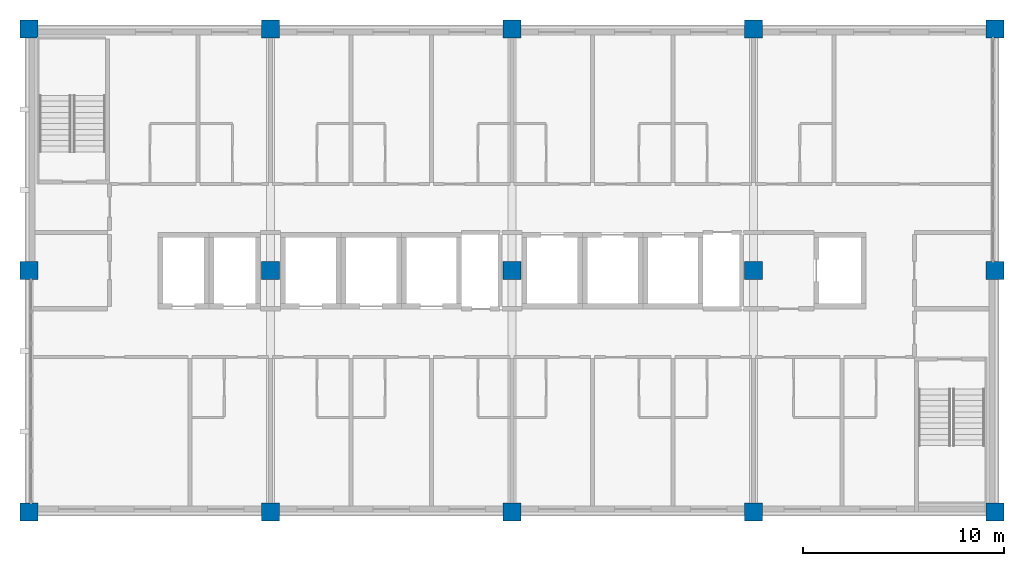
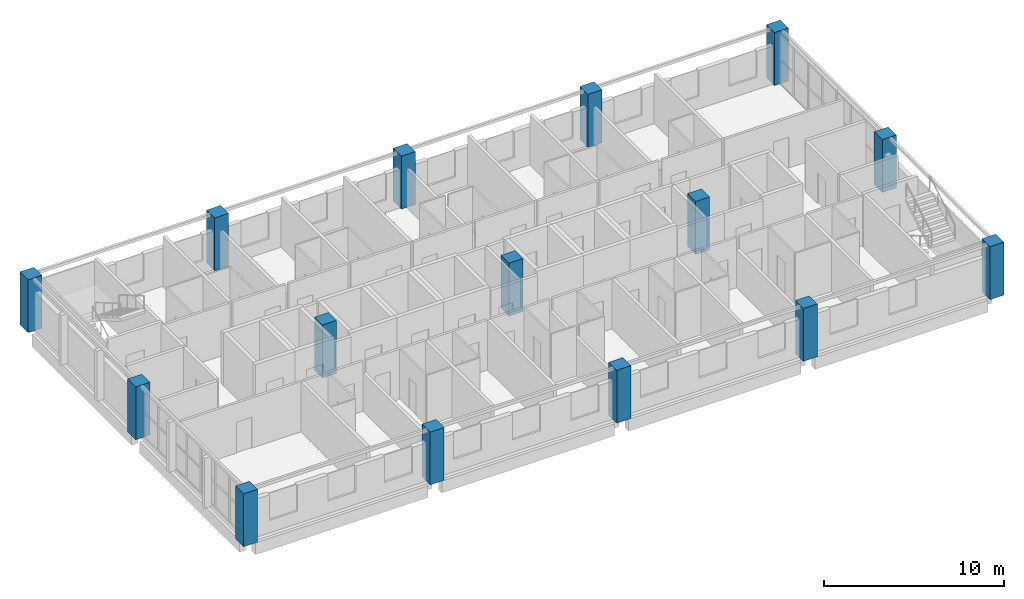
# One storey, part 1 of 11: 15 columns.
"""IFC4 building model written with IfcOpenShell, lengths in metres."""

from ifc_helpers import new_model, si_unit, direction, frame, origin, origin_2d, place, context, subcontext, project, spatial, rectangle, extrude, material, material_profile, profile_set, type_object, element, save


model = new_model("IFC4")

# Units and contexts
model_context = context("Model", 3, precision=1e-05, world=origin(), true_north=direction((0.0, 1.0)))
body_context = subcontext(model_context, "Body", "Model", "MODEL_VIEW")
ifc_project = project(units=[si_unit("LENGTHUNIT", "METRE"), si_unit("AREAUNIT", "SQUARE_METRE"), si_unit("VOLUMEUNIT", "CUBIC_METRE"), si_unit("PLANEANGLEUNIT", "RADIAN"), si_unit("MASSUNIT", "GRAM", prefix="KILO")], contexts=[model_context])

# Site, building, storey
site_placement = place(None, origin())
site = spatial("IfcSite", under=ifc_project, at=site_placement, CompositionType="ELEMENT")
building_placement = place(site_placement, origin())
building = spatial("IfcBuilding", under=site, at=building_placement, Name="Lilac Gate Convention Centre", CompositionType="ELEMENT")
storey_placement = place(building_placement, frame((0.0, 0.0, 24.60009765625)))
storey = spatial("IfcBuildingStorey", under=building, at=storey_placement, Name="L05", CompositionType="ELEMENT", Elevation=24.60009765625)

# Columns
ifc_material = material(Name="Concrete C50", Category="concrete")
ifc_material_profile = material_profile(ifc_material, rectangle(XDim=0.89990234375, YDim=0.89990234375, at=origin_2d()), Name="RC 900x900")
ifc_profile_set = profile_set([ifc_material_profile], Name="Concrete C50")
column_type = type_object("IfcColumnType", Name="RC tower column 900x900 C50", PredefinedType="COLUMN", material=ifc_profile_set)
for number, where, z_axis, x_axis, name in (
    (1, (42.0, 222.0, 0.0), (0.0, 0.0, 1.0), (1.0, 0.0, 0.0), "C4 L05 at 4/S"),
    (2, (42.0, 234.0, 0.0), (0.0, 0.0, 1.0), (1.0, 0.0, 0.0), "C4 L05 at 4/T"),
    (3, (42.0, 246.0, 0.0), (0.0, 0.0, 1.0), (1.0, 0.0, 0.0), "C4 L05 at 4/U"),
    (4, (54.0, 222.0, 0.0), (0.0, 0.0, 1.0), (1.0, 0.0, 0.0), "C4 L05 at 5/S"),
    (5, (54.0, 234.0, 0.0), (0.0, 0.0, 1.0), (1.0, 0.0, 0.0), "C4 L05 at 5/T"),
    (6, (54.0, 246.0, 0.0), (0.0, 0.0, 1.0), (1.0, 0.0, 0.0), "C4 L05 at 5/U"),
    (7, (66.0, 222.0, 0.0), (0.0, 0.0, 1.0), (1.0, 0.0, 0.0), "C4 L05 at 6/S"),
    (8, (66.0, 234.0, 0.0), (0.0, 0.0, 1.0), (1.0, 0.0, 0.0), "C4 L05 at 6/T"),
    (9, (66.0, 246.0, 0.0), (0.0, 0.0, 1.0), (1.0, 0.0, 0.0), "C4 L05 at 6/U"),
    (10, (78.0, 222.0, 0.0), (0.0, 0.0, 1.0), (1.0, 0.0, 0.0), "C4 L05 at 7/S"),
    (11, (78.0, 234.0, 0.0), (0.0, 0.0, 1.0), (1.0, 0.0, 0.0), "C4 L05 at 7/T"),
    (12, (78.0, 246.0, 0.0), (0.0, 0.0, 1.0), (1.0, 0.0, 0.0), "C4 L05 at 7/U"),
    (13, (90.0, 222.0, 0.0), (0.0, 0.0, 1.0), (1.0, 0.0, 0.0), "C4 L05 at 8/S"),
    (14, (90.0, 234.0, 0.0), (0.0, 0.0, 1.0), (1.0, 0.0, 0.0), "C4 L05 at 8/T"),
    (15, (90.0, 246.0, 0.0), (0.0, 0.0, 1.0), (1.0, 0.0, 0.0), "C4 L05 at 8/U"),
):
    element("IfcColumn", number, at=place(storey_placement, frame(where, z_axis=z_axis, x_axis=x_axis)), inside=storey, type_object=column_type, Name=name, PredefinedType="COLUMN", context=body_context, shape_type="SweptSolid", body=[
        extrude(rectangle(XDim=0.89990234375, YDim=0.89990234375, at=origin_2d()), origin(), (0.0, 0.0, 1.0), 3.599853515625),
    ])

save(model, "model.ifc")
